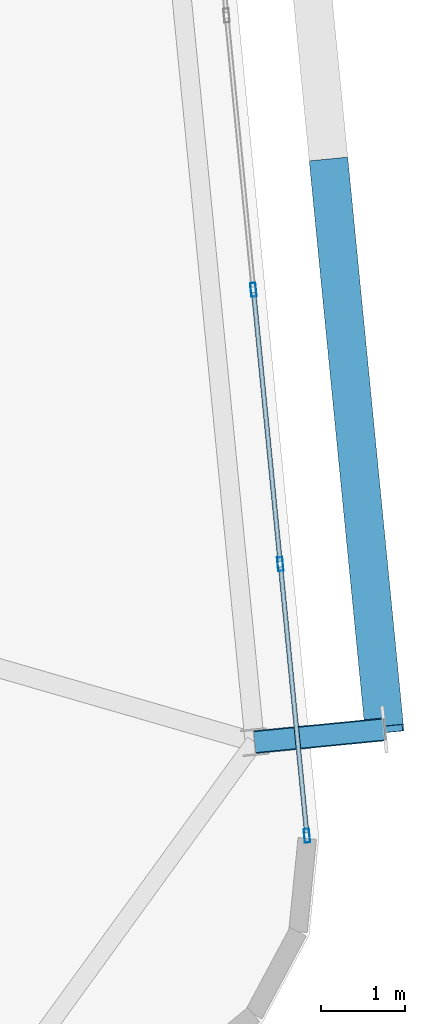
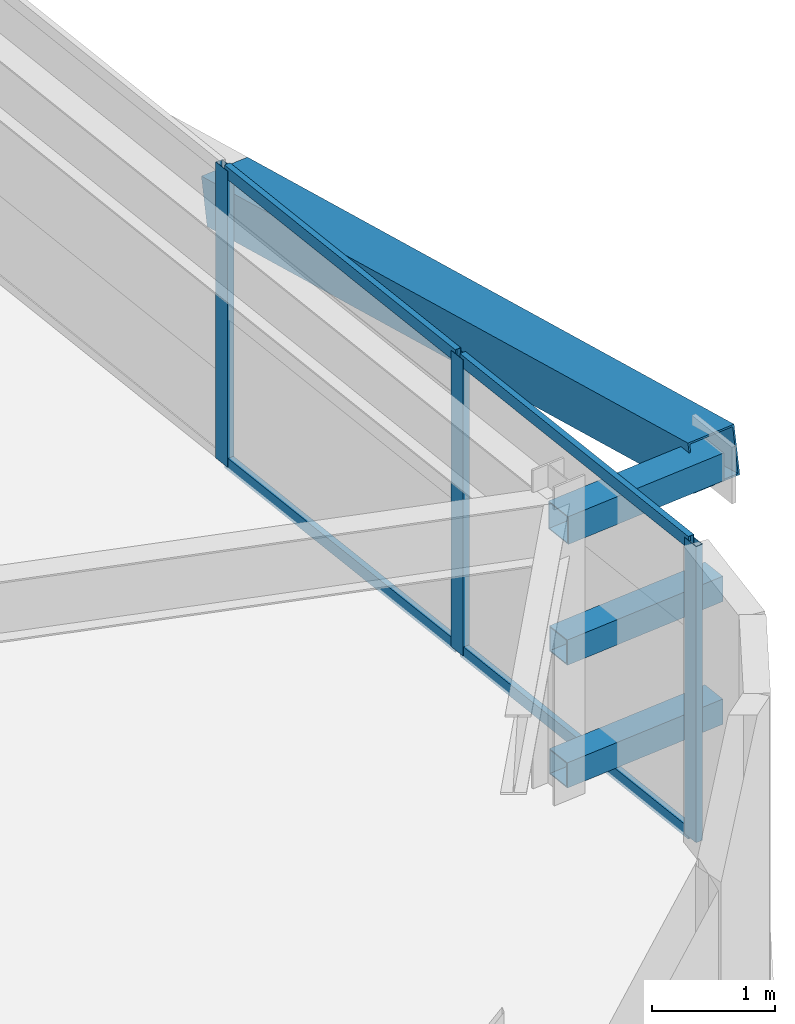
# One storey, part 22 of 54: 11 members, 1 element without a shape of its own.
"""IFC4 building model written with IfcOpenShell, lengths in metres."""

import ifcopenshell
import ifcopenshell.guid

model = None  # the IFC model being written
_history = None  # IfcOwnerHistory: only IFC2X3 demands one
_inside = {}  # id of a spatial element -> (the spatial element, [elements in it])
_under = {}  # id of a project, library or spatial element -> (it, [spatial elements below it])
_declared = {}  # id of a project -> (the project, [libraries it declares])
_typed = {}  # id of a type object -> (the type object, [elements of that type])
_made_of = {}  # id of a material, layer set ... -> (it, [elements and type objects made of it])


def new_model(schema):
    """Start an empty IFC model of exactly this schema.

    Asked for "IFC4X3", IfcOpenShell would pick the latest addendum, in which some entities
    have other attributes; the version numbers below select the first issue.
    IFC2X3 requires an IfcOwnerHistory on every rooted entity: one is made here for all.
    """
    global model, _history
    if schema == "IFC4X3":
        model = ifcopenshell.file(schema_version=(4, 3, 0, 0))
    else:
        model = ifcopenshell.file(schema=schema)
    _inside.clear()
    _under.clear()
    _declared.clear()
    _typed.clear()
    _made_of.clear()
    _history = None
    if model.schema == "IFC2X3":
        org = make("IfcOrganization", Name="unknown")
        user = make(
            "IfcPersonAndOrganization",
            ThePerson=make("IfcPerson", FamilyName="unknown"),
            TheOrganization=org,
        )
        app = make(
            "IfcApplication",
            ApplicationDeveloper=org,
            Version="unknown",
            ApplicationFullName="unknown",
            ApplicationIdentifier="unknown",
        )
        _history = make(
            "IfcOwnerHistory",
            OwningUser=user,
            OwningApplication=app,
            ChangeAction="ADDED",
            CreationDate=0,
        )
    return model


def make(cls, **values):
    """One entity of the class cls with the attributes given. An attribute that is None is left unset."""
    return model.create_entity(
        cls, **{name: value for name, value in values.items() if value is not None}
    )


def rooted(cls, **values):
    """An entity with a GlobalId (a new one), such as an element, a storey or a relation."""
    return make(cls, GlobalId=ifcopenshell.guid.new(), OwnerHistory=_history, **values)


def si_unit(unit_type, name, prefix=None):
    """IfcSIUnit, for example si_unit("LENGTHUNIT", "METRE", prefix="MILLI")."""
    return make("IfcSIUnit", UnitType=unit_type, Prefix=prefix, Name=name)


def assignment(units):
    """IfcUnitAssignment: the units of a project."""
    return None if units is None else make("IfcUnitAssignment", Units=units)


def point(xyz):
    """IfcCartesianPoint."""
    return None if xyz is None else make("IfcCartesianPoint", Coordinates=xyz)


def direction(xyz):
    """IfcDirection."""
    return None if xyz is None else make("IfcDirection", DirectionRatios=xyz)


def frame(location, z_axis=None, x_axis=None):
    """IfcAxis2Placement3D, a coordinate frame: its origin and axes. An axis left out is left unset."""
    return make(
        "IfcAxis2Placement3D",
        Location=point(location),
        Axis=direction(z_axis),
        RefDirection=direction(x_axis),
    )


def frame_2d(location, x_axis=None):
    """IfcAxis2Placement2D, a coordinate frame in the plane: its origin and x axis."""
    return make(
        "IfcAxis2Placement2D", Location=point(location), RefDirection=direction(x_axis)
    )


def origin():
    """The frame at (0, 0, 0) with its axes left unset."""
    return frame((0.0, 0.0, 0.0))


def origin_2d():
    """The frame at (0, 0) in the plane with its x axis left unset."""
    return frame_2d((0.0, 0.0))


def place(relative_to, where):
    """IfcLocalPlacement: puts the frame where relative to a parent placement (None: the world)."""
    return make(
        "IfcLocalPlacement", PlacementRelTo=relative_to, RelativePlacement=where
    )


def context(
    kind, dimensions, precision=None, world=None, true_north=None, identifier=None
):
    """IfcGeometricRepresentationContext, for example the 3D "Model" context."""
    return make(
        "IfcGeometricRepresentationContext",
        ContextIdentifier=identifier,
        ContextType=kind,
        CoordinateSpaceDimension=dimensions,
        Precision=precision,
        WorldCoordinateSystem=world,
        TrueNorth=true_north,
    )


def subcontext(parent, identifier, kind, view, scale=None):
    """IfcGeometricRepresentationSubContext, for example "Body" below "Model"."""
    return make(
        "IfcGeometricRepresentationSubContext",
        ContextIdentifier=identifier,
        ContextType=kind,
        ParentContext=parent,
        TargetScale=scale,
        TargetView=view,
    )


def project(units=None, contexts=None):
    """IfcProject with its units and contexts."""
    return rooted(
        "IfcProject",
        Name="project",
        RepresentationContexts=contexts,
        UnitsInContext=assignment(units),
    )


def spatial(cls, under=None, at=None, **own):
    """A site, building, storey or space (cls), placed at a placement, below another one or the project."""
    s = rooted(cls, ObjectPlacement=at, **own)
    if under is not None:
        _under.setdefault(under.id(), (under, []))[1].append(s)
    return s


def profile(cls, at=None, kind="AREA", **sizes):
    """A parametric profile (cls). Its sizes go by their IFC names, for example OverallWidth=200.0."""
    return make(cls, ProfileType=kind, Position=at, **sizes)


def hollow_rectangle(**sizes):
    """IfcRectangleHollowProfileDef."""
    return profile("IfcRectangleHollowProfileDef", **sizes)


def extrude(swept, where, along, depth):
    """IfcExtrudedAreaSolid: the profile swept, set in the frame where, extruded along a direction by depth."""
    return make(
        "IfcExtrudedAreaSolid",
        SweptArea=swept,
        Position=where,
        ExtrudedDirection=direction(along),
        Depth=depth,
    )


def shape(context_of_items, identifier, shape_type, items):
    """IfcShapeRepresentation: the items that make up one representation, for example the "Body"."""
    return make(
        "IfcShapeRepresentation",
        ContextOfItems=context_of_items,
        RepresentationIdentifier=identifier,
        RepresentationType=shape_type,
        Items=items,
    )


def source(mapping_origin, context_of_items, identifier, shape_type, items):
    """IfcRepresentationMap: a shape defined once, which mapped items show again and again."""
    return make(
        "IfcRepresentationMap",
        MappingOrigin=mapping_origin,
        MappedRepresentation=shape(context_of_items, identifier, shape_type, items),
    )


def transform(
    local_origin,
    x_axis=None,
    y_axis=None,
    z_axis=None,
    scale=None,
    scale2=None,
    scale3=None,
    uniform=True,
):
    """IfcCartesianTransformationOperator3D, or its non-uniform kind. x_axis, y_axis, z_axis: its Axis1, 2, 3."""
    if uniform:
        return make(
            "IfcCartesianTransformationOperator3D",
            Axis1=direction(x_axis),
            Axis2=direction(y_axis),
            LocalOrigin=point(local_origin),
            Scale=scale,
            Axis3=direction(z_axis),
        )
    return make(
        "IfcCartesianTransformationOperator3DnonUniform",
        Axis1=direction(x_axis),
        Axis2=direction(y_axis),
        LocalOrigin=point(local_origin),
        Scale=scale,
        Axis3=direction(z_axis),
        Scale2=scale2,
        Scale3=scale3,
    )


def mapped(mapping_source, mapping_target):
    """IfcMappedItem: shows the shape of a source again, moved by a transform."""
    return make(
        "IfcMappedItem", MappingSource=mapping_source, MappingTarget=mapping_target
    )


def material(Name=None, Category=None):
    """IfcMaterial."""
    return make("IfcMaterial", Name=Name, Category=Category)


def layer(
    of_material, thickness, ventilated=None, Name=None, Category=None, Priority=None
):
    """IfcMaterialLayer: one layer of a wall or slab, of a material (None: an air gap)."""
    return make(
        "IfcMaterialLayer",
        Material=of_material,
        LayerThickness=thickness,
        IsVentilated=ventilated,
        Name=Name,
        Category=Category,
        Priority=Priority,
    )


def layer_set(layers, Name=None):
    """IfcMaterialLayerSet."""
    return make("IfcMaterialLayerSet", MaterialLayers=layers, LayerSetName=Name)


def material_profile(
    of_material, cross_section, Name=None, Category=None, Priority=None
):
    """IfcMaterialProfile: a cross section and its material."""
    return make(
        "IfcMaterialProfile",
        Name=Name,
        Material=of_material,
        Profile=cross_section,
        Priority=Priority,
        Category=Category,
    )


def profile_set(profiles, Name=None, composite=None):
    """IfcMaterialProfileSet."""
    return make(
        "IfcMaterialProfileSet",
        Name=Name,
        MaterialProfiles=profiles,
        CompositeProfile=composite,
    )


def made_of(thing, what):
    """Note that an element or type object is made of a material, layer set ...; save() writes the relation."""
    if what is not None:
        _made_of.setdefault(what.id(), (what, []))[1].append(thing)
    return thing


def type_object(cls, material=None, **own):
    """A type object (cls), such as IfcWallType, which elements share."""
    return made_of(rooted(cls, **own), material)


def element(
    cls,
    number,
    at=None,
    inside=None,
    cuts=None,
    type_object=None,
    material=None,
    context=None,
    identifier="Body",
    shape_type=None,
    held_by="IfcProductDefinitionShape",
    body=None,
    shapes=None,
    **own,
):
    """One element of the class cls, such as IfcWall. Its Tag is "e" and its number.

    at: its placement. inside: the storey or other place that contains it. cuts: it is an
    opening in that element (IfcRelVoidsElement). A single representation is given by context,
    identifier, shape_type and body (its items); several are given by shapes. held_by: the class
    of the entity that holds the representations. save() writes the other relations.
    """
    e = rooted(cls, Tag="e%d" % number, ObjectPlacement=at, **own)
    if body is not None:
        shapes = [shape(context, identifier, shape_type, body)]
    if shapes is not None:
        e.Representation = make(held_by, Representations=shapes)
    if inside is not None:
        _inside.setdefault(inside.id(), (inside, []))[1].append(e)
    if cuts is not None:
        rooted(
            "IfcRelVoidsElement", RelatingBuildingElement=cuts, RelatedOpeningElement=e
        )
    if type_object is not None:
        _typed.setdefault(type_object.id(), (type_object, []))[1].append(e)
    return made_of(e, material)


def aggregate(whole, parts):
    """IfcRelAggregates: a whole, such as a stair, and the parts it consists of."""
    return rooted("IfcRelAggregates", RelatingObject=whole, RelatedObjects=parts)


def save(model, path):
    """Write the relations noted so far, then the file.

    IfcRelAggregates (storeys below a building ...), IfcRelContainedInSpatialStructure (elements
    in a storey), IfcRelDefinesByType, IfcRelAssociatesMaterial and IfcRelDeclares: one each for
    every whole, place, type object, material and project.
    """
    for whole, parts in _under.values():
        aggregate(whole, parts)
    for where, things in _inside.values():
        rooted(
            "IfcRelContainedInSpatialStructure",
            RelatedElements=things,
            RelatingStructure=where,
        )
    for kind, things in _typed.values():
        rooted("IfcRelDefinesByType", RelatedObjects=things, RelatingType=kind)
    for what, things in _made_of.values():
        rooted("IfcRelAssociatesMaterial", RelatedObjects=things, RelatingMaterial=what)
    for by, libraries in _declared.values():
        rooted("IfcRelDeclares", RelatingContext=by, RelatedDefinitions=libraries)
    model.write(path)


model = new_model("IFC4")

# Units and contexts
model_context = context("Model", 3, precision=1e-05, world=origin(), true_north=direction((0.0, 1.0)))
body_context = subcontext(model_context, "Body", "Model", "MODEL_VIEW")
ifc_project = project(units=[si_unit("LENGTHUNIT", "METRE"), si_unit("AREAUNIT", "SQUARE_METRE"), si_unit("VOLUMEUNIT", "CUBIC_METRE"), si_unit("PLANEANGLEUNIT", "RADIAN"), si_unit("MASSUNIT", "GRAM", prefix="KILO")], contexts=[model_context])

# Site, building, storey
site_placement = place(None, origin())
site = spatial("IfcSite", under=ifc_project, at=site_placement, CompositionType="ELEMENT")
building_placement = place(site_placement, origin())
building = spatial("IfcBuilding", under=site, at=building_placement, Name="Taldren Reach Tower", CompositionType="ELEMENT")
storey_placement = place(building_placement, frame((0.0, 0.0, 102.89990234375)))
storey = spatial("IfcBuildingStorey", under=building, at=storey_placement, Name="L31", CompositionType="ELEMENT", Elevation=102.89990234375)

# Members
ifc_material_1 = material(Name="Steel Gr 450 (C450L0)", Category="steel")
ifc_material_profile_1 = material_profile(ifc_material_1, hollow_rectangle(XDim=0.27490234375, YDim=0.27490234375, WallThickness=0.00927734375, at=origin_2d()), Name="275x275x9.3SHS")
ifc_profile_set_1 = profile_set([ifc_material_profile_1], Name="Steel Gr 450 (C450L0)")
member_type_1 = type_object("IfcMemberType", Name="MB-TIE273", PredefinedType="STRUT", material=ifc_profile_set_1)
shared_shape_1 = source(origin(), body_context, "Body", "SweptSolid", [
    extrude(hollow_rectangle(XDim=0.27490234375, YDim=0.27490234375, WallThickness=0.00927734375, at=origin_2d()), origin(), (0.0, 0.0, 1.0), 1.550048828125),
])
member_1_placement = place(storey_placement, frame((65.8916015625, 8.483642578125, 2.650146484375), z_axis=(0.995236318924, 0.097491894511, 0.0), x_axis=(-0.097491894511, 0.995236318924, 0.0)))
element("IfcMember", 1, at=member_1_placement, inside=storey, type_object=member_type_1, Name="Exoskeleton diaphragm tie strut B2-E1 L31", PredefinedType="STRUT", context=body_context, shape_type="MappedRepresentation", body=[
    mapped(shared_shape_1, transform((0.0, 0.0, 0.0), scale=1.0)),
])
ifc_material_2 = material(Name="Steel Gr 350 (C350L0)", Category="steel")
ifc_material_profile_2 = material_profile(ifc_material_2, hollow_rectangle(XDim=0.25, YDim=0.25, WallThickness=0.010009765625, at=origin_2d()), Name="250x250x10.0SHS")
ifc_profile_set_2 = profile_set([ifc_material_profile_2], Name="Steel Gr 350 (C350L0)")
member_type_2 = type_object("IfcMemberType", Name="MB-POST250", PredefinedType="POST", material=ifc_profile_set_2)
shared_shape_2 = source(origin(), body_context, "Body", "SweptSolid", [
    extrude(hollow_rectangle(XDim=0.25, YDim=0.25, WallThickness=0.010009765625, at=origin_2d()), origin(), (0.0, 0.0, 1.0), 1.550048828125),
])
for number, where, z_axis, x_axis, name in (
    (2, (65.8916015625, 8.483642578125, 0.22021484375), (0.995236318924, 0.097491894511, 0.0), (-0.097491894511, 0.995236318924, 0.0), "Exoskeleton base diaphragm tie strut B2-E1 L31"),
    (3, (65.8916015625, 8.483642578125, 1.43505859375), (0.995236318924, 0.097491894511, 0.0), (-0.097491894511, 0.995236318924, 0.0), "Exoskeleton mid-tier diaphragm tie B2-E1 L31"),
):
    element("IfcMember", number, at=place(storey_placement, frame(where, z_axis=z_axis, x_axis=x_axis)), inside=storey, type_object=member_type_2, Name=name, PredefinedType="POST", context=body_context, shape_type="MappedRepresentation", body=[
        mapped(shared_shape_2, transform((0.0, 0.0, 0.0), scale=1.0)),
    ])
ifc_material_profile_3 = material_profile(ifc_material_1, hollow_rectangle(XDim=0.4599609375, YDim=0.4599609375, WallThickness=0.01611328125, at=origin_2d()), Name="460x460x16.0SHS")
ifc_profile_set_3 = profile_set([ifc_material_profile_3], Name="Steel Gr 450 (C450L0)")
member_type_3 = type_object("IfcMemberType", Name="MB-EXO457", PredefinedType="BRACE", material=ifc_profile_set_3)
shared_shape_3 = source(origin(), body_context, "Body", "SweptSolid", [
    extrude(hollow_rectangle(XDim=0.4599609375, YDim=0.4599609375, WallThickness=0.01611328125, at=origin_2d()), origin(), (0.0, 0.0, 1.0), 6.883056640625),
])
member_2_placement = place(storey_placement, frame((66.773193359375, 15.37744140625, 1.43505859375), z_axis=(0.09605145821, -0.97959718347, 0.176531797456), x_axis=(0.995227290009, 0.097584021339, 0.0)))
element("IfcMember", 4, at=member_2_placement, inside=storey, type_object=member_type_3, Name="Exoskeleton Diagrid Brace B2-E1 L31", PredefinedType="BRACE", context=body_context, shape_type="MappedRepresentation", body=[
    mapped(shared_shape_3, transform((0.0, 0.0, 0.0), scale=1.0)),
])

# Curtain wall, members
ifc_material_3 = material(Name="Aluminium and Low-E Glass Unitised System", Category="aluminium")
ifc_layer = layer(ifc_material_3, 0.159912109375)
ifc_layer_set = layer_set([ifc_layer], Name="Aluminium and Low-E Glass Unitised System")
curtain_wall_type = type_object("IfcCurtainWallType", Name="CW-SYS-3", PredefinedType="NOTDEFINED", material=ifc_layer_set)
curtain_wall_placement = place(storey_placement, origin())
curtain_wall = element("IfcCurtainWall", 5, at=curtain_wall_placement, inside=storey, type_object=curtain_wall_type, Name="Unitised curtain wall CW-L31-E", PredefinedType="NOTDEFINED")
ifc_material_4 = material(Name="Anodised Aluminium 6063-T6", Category="aluminium")
ifc_material_profile_4 = material_profile(ifc_material_4, hollow_rectangle(XDim=0.06494140625, YDim=0.1650390625, WallThickness=0.00390625, at=origin_2d()), Name="ALU-165x65x4RHS")
ifc_profile_set_4 = profile_set([ifc_material_profile_4], Name="Anodised Aluminium 6063-T6")
member_type_4 = type_object("IfcMemberType", Name="CW-MUL-165", PredefinedType="MULLION", material=ifc_profile_set_4)
shared_shape_4 = source(origin(), body_context, "Body", "SweptSolid", [
    extrude(hollow_rectangle(XDim=0.06494140625, YDim=0.1650390625, WallThickness=0.00390625, at=origin_2d()), origin(), (0.0, 0.0, 1.0), 2.93017578125),
])
member_3_placement = place(storey_placement, frame((66.51318359375, 7.371337890625, 0.0), z_axis=(0.0, 0.0, 1.0), x_axis=(-0.99522741555, -0.09758274098, 0.0)))
member_3 = element("IfcMember", 6, at=member_3_placement, type_object=member_type_4, Name="CW-3 mullion 1", PredefinedType="MULLION", context=body_context, shape_type="MappedRepresentation", body=[
    mapped(shared_shape_4, transform((0.0, 0.0, 0.0), scale=1.0)),
])
member_4_placement = place(storey_placement, frame((66.196533203125, 10.60107421875, 0.0), z_axis=(0.0, 0.0, 1.0), x_axis=(-0.99522741555, -0.09758274098, 0.0)))
member_4 = element("IfcMember", 7, at=member_4_placement, type_object=member_type_4, Name="CW-3 mullion 2", PredefinedType="MULLION", context=body_context, shape_type="MappedRepresentation", body=[
    mapped(shared_shape_4, transform((0.0, 0.0, 0.0), scale=1.0)),
])
member_5_placement = place(storey_placement, frame((65.876708984375, 13.86328125, 0.0), z_axis=(0.0, 0.0, 1.0), x_axis=(-0.99522741555, -0.09758274098, 0.0)))
member_5 = element("IfcMember", 8, at=member_5_placement, type_object=member_type_4, Name="CW-3 mullion 3", PredefinedType="MULLION", context=body_context, shape_type="MappedRepresentation", body=[
    mapped(shared_shape_4, transform((0.0, 0.0, 0.0), scale=1.0)),
])
ifc_material_profile_5 = material_profile(ifc_material_4, hollow_rectangle(XDim=0.054931640625, YDim=0.1201171875, WallThickness=0.0029296875, at=origin_2d()), Name="ALU-120x55x3RHS")
ifc_profile_set_5 = profile_set([ifc_material_profile_5], Name="Anodised Aluminium 6063-T6")
member_type_5 = type_object("IfcMemberType", Name="CW-TRN-135", PredefinedType="USERDEFINED", material=ifc_profile_set_5)
shared_shape_5 = source(origin(), body_context, "Body", "SweptSolid", [
    extrude(hollow_rectangle(XDim=0.054931640625, YDim=0.1201171875, WallThickness=0.0029296875, at=origin_2d()), origin(), (0.0, 0.0, 1.0), 3.18017578125),
])
member_6_placement = place(storey_placement, frame((66.510009765625, 7.40380859375, 0.027587890625), z_axis=(-0.097572914968, 0.995228378949, 0.0), x_axis=(-0.995228378949, -0.097572914968, 0.0)))
member_6 = element("IfcMember", 9, at=member_6_placement, type_object=member_type_5, Name="CW-3 transom 1.1", ObjectType="TRANSOM", PredefinedType="USERDEFINED", context=body_context, shape_type="MappedRepresentation", body=[
    mapped(shared_shape_5, transform((0.0, 0.0, 0.0), scale=1.0)),
])
member_7_placement = place(storey_placement, frame((66.510009765625, 7.40380859375, 2.902587890625), z_axis=(-0.097572914968, 0.995228378949, 0.0), x_axis=(-0.995228378949, -0.097572914968, 0.0)))
member_7 = element("IfcMember", 10, at=member_7_placement, type_object=member_type_5, Name="CW-3 transom 1.2", ObjectType="TRANSOM", PredefinedType="USERDEFINED", context=body_context, shape_type="MappedRepresentation", body=[
    mapped(shared_shape_5, transform((0.0, 0.0, 0.0), scale=1.0)),
])
shared_shape_6 = source(origin(), body_context, "Body", "SweptSolid", [
    extrude(hollow_rectangle(XDim=0.054931640625, YDim=0.1201171875, WallThickness=0.0029296875, at=origin_2d()), origin(), (0.0, 0.0, 1.0), 3.212890625),
])
member_8_placement = place(storey_placement, frame((66.193359375, 10.633544921875, 0.027587890625), z_axis=(-0.097569948235, 0.995228669805, 0.0), x_axis=(-0.995228669805, -0.097569948235, 0.0)))
member_8 = element("IfcMember", 11, at=member_8_placement, type_object=member_type_5, Name="CW-3 transom 2.1", ObjectType="TRANSOM", PredefinedType="USERDEFINED", context=body_context, shape_type="MappedRepresentation", body=[
    mapped(shared_shape_6, transform((0.0, 0.0, 0.0), scale=1.0)),
])
member_9_placement = place(storey_placement, frame((66.193359375, 10.633544921875, 2.902587890625), z_axis=(-0.097569948235, 0.995228669805, 0.0), x_axis=(-0.995228669805, -0.097569948235, 0.0)))
member_9 = element("IfcMember", 12, at=member_9_placement, type_object=member_type_5, Name="CW-3 transom 2.2", ObjectType="TRANSOM", PredefinedType="USERDEFINED", context=body_context, shape_type="MappedRepresentation", body=[
    mapped(shared_shape_6, transform((0.0, 0.0, 0.0), scale=1.0)),
])
aggregate(curtain_wall, [member_3, member_4, member_5, member_6, member_7, member_8, member_9])

save(model, "model.ifc")
